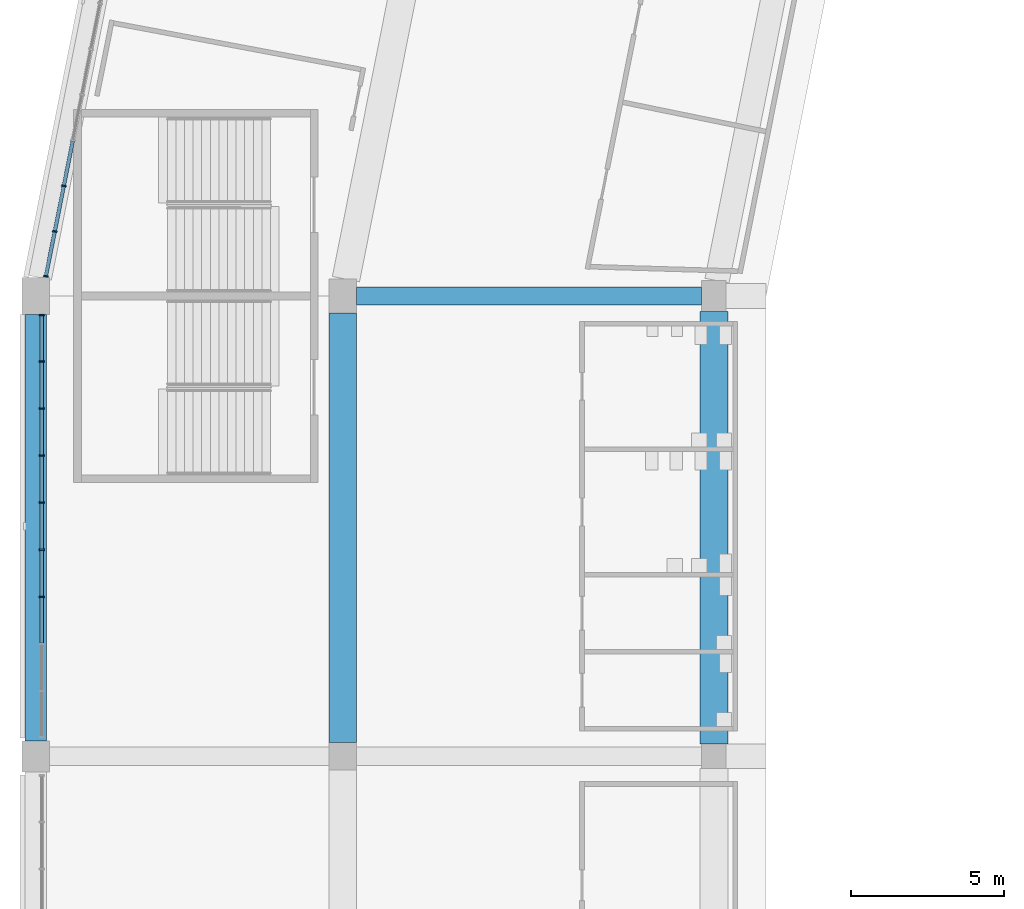
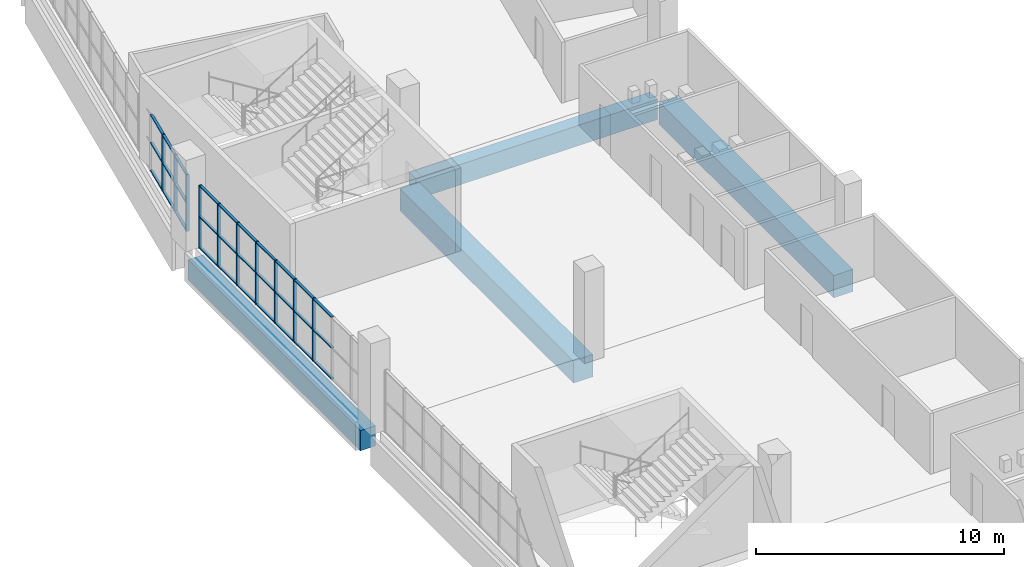
# One storey, part 35 of 199: 40 members, 4 beams, 2 elements without a shape of their own.
"""IFC4 building model written with IfcOpenShell, lengths in metres."""

import ifcopenshell
import ifcopenshell.guid

model = None  # the IFC model being written
_history = None  # IfcOwnerHistory: only IFC2X3 demands one
_inside = {}  # id of a spatial element -> (the spatial element, [elements in it])
_under = {}  # id of a project, library or spatial element -> (it, [spatial elements below it])
_declared = {}  # id of a project -> (the project, [libraries it declares])
_typed = {}  # id of a type object -> (the type object, [elements of that type])
_made_of = {}  # id of a material, layer set ... -> (it, [elements and type objects made of it])


def new_model(schema):
    """Start an empty IFC model of exactly this schema.

    Asked for "IFC4X3", IfcOpenShell would pick the latest addendum, in which some entities
    have other attributes; the version numbers below select the first issue.
    IFC2X3 requires an IfcOwnerHistory on every rooted entity: one is made here for all.
    """
    global model, _history
    if schema == "IFC4X3":
        model = ifcopenshell.file(schema_version=(4, 3, 0, 0))
    else:
        model = ifcopenshell.file(schema=schema)
    _inside.clear()
    _under.clear()
    _declared.clear()
    _typed.clear()
    _made_of.clear()
    _history = None
    if model.schema == "IFC2X3":
        org = make("IfcOrganization", Name="unknown")
        user = make(
            "IfcPersonAndOrganization",
            ThePerson=make("IfcPerson", FamilyName="unknown"),
            TheOrganization=org,
        )
        app = make(
            "IfcApplication",
            ApplicationDeveloper=org,
            Version="unknown",
            ApplicationFullName="unknown",
            ApplicationIdentifier="unknown",
        )
        _history = make(
            "IfcOwnerHistory",
            OwningUser=user,
            OwningApplication=app,
            ChangeAction="ADDED",
            CreationDate=0,
        )
    return model


def make(cls, **values):
    """One entity of the class cls with the attributes given. An attribute that is None is left unset."""
    return model.create_entity(
        cls, **{name: value for name, value in values.items() if value is not None}
    )


def rooted(cls, **values):
    """An entity with a GlobalId (a new one), such as an element, a storey or a relation."""
    return make(cls, GlobalId=ifcopenshell.guid.new(), OwnerHistory=_history, **values)


def si_unit(unit_type, name, prefix=None):
    """IfcSIUnit, for example si_unit("LENGTHUNIT", "METRE", prefix="MILLI")."""
    return make("IfcSIUnit", UnitType=unit_type, Prefix=prefix, Name=name)


def assignment(units):
    """IfcUnitAssignment: the units of a project."""
    return None if units is None else make("IfcUnitAssignment", Units=units)


def point(xyz):
    """IfcCartesianPoint."""
    return None if xyz is None else make("IfcCartesianPoint", Coordinates=xyz)


def direction(xyz):
    """IfcDirection."""
    return None if xyz is None else make("IfcDirection", DirectionRatios=xyz)


def frame(location, z_axis=None, x_axis=None):
    """IfcAxis2Placement3D, a coordinate frame: its origin and axes. An axis left out is left unset."""
    return make(
        "IfcAxis2Placement3D",
        Location=point(location),
        Axis=direction(z_axis),
        RefDirection=direction(x_axis),
    )


def frame_2d(location, x_axis=None):
    """IfcAxis2Placement2D, a coordinate frame in the plane: its origin and x axis."""
    return make(
        "IfcAxis2Placement2D", Location=point(location), RefDirection=direction(x_axis)
    )


def origin():
    """The frame at (0, 0, 0) with its axes left unset."""
    return frame((0.0, 0.0, 0.0))


def origin_2d():
    """The frame at (0, 0) in the plane with its x axis left unset."""
    return frame_2d((0.0, 0.0))


def place(relative_to, where):
    """IfcLocalPlacement: puts the frame where relative to a parent placement (None: the world)."""
    return make(
        "IfcLocalPlacement", PlacementRelTo=relative_to, RelativePlacement=where
    )


def context(
    kind, dimensions, precision=None, world=None, true_north=None, identifier=None
):
    """IfcGeometricRepresentationContext, for example the 3D "Model" context."""
    return make(
        "IfcGeometricRepresentationContext",
        ContextIdentifier=identifier,
        ContextType=kind,
        CoordinateSpaceDimension=dimensions,
        Precision=precision,
        WorldCoordinateSystem=world,
        TrueNorth=true_north,
    )


def subcontext(parent, identifier, kind, view, scale=None):
    """IfcGeometricRepresentationSubContext, for example "Body" below "Model"."""
    return make(
        "IfcGeometricRepresentationSubContext",
        ContextIdentifier=identifier,
        ContextType=kind,
        ParentContext=parent,
        TargetScale=scale,
        TargetView=view,
    )


def project(units=None, contexts=None):
    """IfcProject with its units and contexts."""
    return rooted(
        "IfcProject",
        Name="project",
        RepresentationContexts=contexts,
        UnitsInContext=assignment(units),
    )


def spatial(cls, under=None, at=None, **own):
    """A site, building, storey or space (cls), placed at a placement, below another one or the project."""
    s = rooted(cls, ObjectPlacement=at, **own)
    if under is not None:
        _under.setdefault(under.id(), (under, []))[1].append(s)
    return s


def profile(cls, at=None, kind="AREA", **sizes):
    """A parametric profile (cls). Its sizes go by their IFC names, for example OverallWidth=200.0."""
    return make(cls, ProfileType=kind, Position=at, **sizes)


def rectangle(**sizes):
    """IfcRectangleProfileDef."""
    return profile("IfcRectangleProfileDef", **sizes)


def extrude(swept, where, along, depth):
    """IfcExtrudedAreaSolid: the profile swept, set in the frame where, extruded along a direction by depth."""
    return make(
        "IfcExtrudedAreaSolid",
        SweptArea=swept,
        Position=where,
        ExtrudedDirection=direction(along),
        Depth=depth,
    )


def shape(context_of_items, identifier, shape_type, items):
    """IfcShapeRepresentation: the items that make up one representation, for example the "Body"."""
    return make(
        "IfcShapeRepresentation",
        ContextOfItems=context_of_items,
        RepresentationIdentifier=identifier,
        RepresentationType=shape_type,
        Items=items,
    )


def material(Name=None, Category=None):
    """IfcMaterial."""
    return make("IfcMaterial", Name=Name, Category=Category)


def material_profile(
    of_material, cross_section, Name=None, Category=None, Priority=None
):
    """IfcMaterialProfile: a cross section and its material."""
    return make(
        "IfcMaterialProfile",
        Name=Name,
        Material=of_material,
        Profile=cross_section,
        Priority=Priority,
        Category=Category,
    )


def profile_set(profiles, Name=None, composite=None):
    """IfcMaterialProfileSet."""
    return make(
        "IfcMaterialProfileSet",
        Name=Name,
        MaterialProfiles=profiles,
        CompositeProfile=composite,
    )


def made_of(thing, what):
    """Note that an element or type object is made of a material, layer set ...; save() writes the relation."""
    if what is not None:
        _made_of.setdefault(what.id(), (what, []))[1].append(thing)
    return thing


def type_object(cls, material=None, **own):
    """A type object (cls), such as IfcWallType, which elements share."""
    return made_of(rooted(cls, **own), material)


def element(
    cls,
    number,
    at=None,
    inside=None,
    cuts=None,
    type_object=None,
    material=None,
    context=None,
    identifier="Body",
    shape_type=None,
    held_by="IfcProductDefinitionShape",
    body=None,
    shapes=None,
    **own,
):
    """One element of the class cls, such as IfcWall. Its Tag is "e" and its number.

    at: its placement. inside: the storey or other place that contains it. cuts: it is an
    opening in that element (IfcRelVoidsElement). A single representation is given by context,
    identifier, shape_type and body (its items); several are given by shapes. held_by: the class
    of the entity that holds the representations. save() writes the other relations.
    """
    e = rooted(cls, Tag="e%d" % number, ObjectPlacement=at, **own)
    if body is not None:
        shapes = [shape(context, identifier, shape_type, body)]
    if shapes is not None:
        e.Representation = make(held_by, Representations=shapes)
    if inside is not None:
        _inside.setdefault(inside.id(), (inside, []))[1].append(e)
    if cuts is not None:
        rooted(
            "IfcRelVoidsElement", RelatingBuildingElement=cuts, RelatedOpeningElement=e
        )
    if type_object is not None:
        _typed.setdefault(type_object.id(), (type_object, []))[1].append(e)
    return made_of(e, material)


def aggregate(whole, parts):
    """IfcRelAggregates: a whole, such as a stair, and the parts it consists of."""
    return rooted("IfcRelAggregates", RelatingObject=whole, RelatedObjects=parts)


def save(model, path):
    """Write the relations noted so far, then the file.

    IfcRelAggregates (storeys below a building ...), IfcRelContainedInSpatialStructure (elements
    in a storey), IfcRelDefinesByType, IfcRelAssociatesMaterial and IfcRelDeclares: one each for
    every whole, place, type object, material and project.
    """
    for whole, parts in _under.values():
        aggregate(whole, parts)
    for where, things in _inside.values():
        rooted(
            "IfcRelContainedInSpatialStructure",
            RelatedElements=things,
            RelatingStructure=where,
        )
    for kind, things in _typed.values():
        rooted("IfcRelDefinesByType", RelatedObjects=things, RelatingType=kind)
    for what, things in _made_of.values():
        rooted("IfcRelAssociatesMaterial", RelatedObjects=things, RelatingMaterial=what)
    for by, libraries in _declared.values():
        rooted("IfcRelDeclares", RelatingContext=by, RelatedDefinitions=libraries)
    model.write(path)


model = new_model("IFC4")

# Units and contexts
model_context = context("Model", 3, precision=1e-05, world=origin(), true_north=direction((0.0, 1.0)))
body_context = subcontext(model_context, "Body", "Model", "MODEL_VIEW")
ifc_project = project(units=[si_unit("LENGTHUNIT", "METRE"), si_unit("AREAUNIT", "SQUARE_METRE"), si_unit("VOLUMEUNIT", "CUBIC_METRE"), si_unit("PLANEANGLEUNIT", "RADIAN"), si_unit("MASSUNIT", "GRAM", prefix="KILO")], contexts=[model_context])

# Site, building, storey
site_placement = place(None, origin())
site = spatial("IfcSite", under=ifc_project, at=site_placement, CompositionType="ELEMENT")
building_placement = place(site_placement, origin())
building = spatial("IfcBuilding", under=site, at=building_placement, Name="Ogive Plaza Stadium", CompositionType="ELEMENT")
storey_placement = place(building_placement, frame((0.0, 0.0, 4.5)))
storey = spatial("IfcBuildingStorey", under=building, at=storey_placement, Name="L01", CompositionType="ELEMENT", Elevation=4.5)

# Curtain wall, members
ifc_material_1 = material(Name="Bronze-anodised aluminium with laminated glass", Category="aluminium")
curtain_wall_type = type_object("IfcCurtainWallType", Name="Lancet curtain wall", PredefinedType="NOTDEFINED", material=ifc_material_1)
curtain_wall_1_placement = place(storey_placement, origin())
curtain_wall_1 = element("IfcCurtainWall", 1, at=curtain_wall_1_placement, inside=storey, type_object=curtain_wall_type, Name="CURTAIN WALL B27 L01", PredefinedType="NOTDEFINED")
ifc_material_2 = material(Name="Bronze-anodised aluminium", Category="aluminium")
ifc_material_profile_1 = material_profile(ifc_material_2, rectangle(XDim=0.14990234375, YDim=0.050048828125, at=origin_2d()), Name="AL 150x50")
ifc_profile_set_1 = profile_set([ifc_material_profile_1], Name="Bronze-anodised aluminium")
member_type_1 = type_object("IfcMemberType", Name="Curtain wall mullion 50x150", PredefinedType="MULLION", material=ifc_profile_set_1)
member_1_placement = place(storey_placement, frame((-83.800048828125, 42.699951171875, 0.0), z_axis=(0.0, 0.0, 1.0), x_axis=(-1.0, 0.0, 0.0)))
member_1 = element("IfcMember", 2, at=member_1_placement, type_object=member_type_1, Name="CW-B27-L01 mullion 4", PredefinedType="MULLION", context=body_context, shape_type="SweptSolid", body=[
    extrude(rectangle(XDim=0.14990234375, YDim=0.050048828125, at=origin_2d()), origin(), (0.0, 0.0, 1.0), 3.090087890625),
])
member_2_placement = place(storey_placement, frame((-83.800048828125, 44.2333984375, 0.0), z_axis=(0.0, 0.0, 1.0), x_axis=(-1.0, 0.0, 0.0)))
member_2 = element("IfcMember", 3, at=member_2_placement, type_object=member_type_1, Name="CW-B27-L01 mullion 5", PredefinedType="MULLION", context=body_context, shape_type="SweptSolid", body=[
    extrude(rectangle(XDim=0.14990234375, YDim=0.050048828125, at=origin_2d()), origin(), (0.0, 0.0, 1.0), 3.090087890625),
])
member_3_placement = place(storey_placement, frame((-83.800048828125, 45.7666015625, 0.0), z_axis=(0.0, 0.0, 1.0), x_axis=(-1.0, 0.0, 0.0)))
member_3 = element("IfcMember", 4, at=member_3_placement, type_object=member_type_1, Name="CW-B27-L01 mullion 6", PredefinedType="MULLION", context=body_context, shape_type="SweptSolid", body=[
    extrude(rectangle(XDim=0.14990234375, YDim=0.050048828125, at=origin_2d()), origin(), (0.0, 0.0, 1.0), 3.090087890625),
])
member_4_placement = place(storey_placement, frame((-83.800048828125, 47.300048828125, 0.0), z_axis=(0.0, 0.0, 1.0), x_axis=(-1.0, 0.0, 0.0)))
member_4 = element("IfcMember", 5, at=member_4_placement, type_object=member_type_1, Name="CW-B27-L01 mullion 7", PredefinedType="MULLION", context=body_context, shape_type="SweptSolid", body=[
    extrude(rectangle(XDim=0.14990234375, YDim=0.050048828125, at=origin_2d()), origin(), (0.0, 0.0, 1.0), 3.090087890625),
])
member_5_placement = place(storey_placement, frame((-83.800048828125, 48.833251953125, 0.0), z_axis=(0.0, 0.0, 1.0), x_axis=(-1.0, 0.0, 0.0)))
member_5 = element("IfcMember", 6, at=member_5_placement, type_object=member_type_1, Name="CW-B27-L01 mullion 8", PredefinedType="MULLION", context=body_context, shape_type="SweptSolid", body=[
    extrude(rectangle(XDim=0.14990234375, YDim=0.050048828125, at=origin_2d()), origin(), (0.0, 0.0, 1.0), 3.090087890625),
])
member_6_placement = place(storey_placement, frame((-83.800048828125, 50.36669921875, 0.0), z_axis=(0.0, 0.0, 1.0), x_axis=(-1.0, 0.0, 0.0)))
member_6 = element("IfcMember", 7, at=member_6_placement, type_object=member_type_1, Name="CW-B27-L01 mullion 9", PredefinedType="MULLION", context=body_context, shape_type="SweptSolid", body=[
    extrude(rectangle(XDim=0.14990234375, YDim=0.050048828125, at=origin_2d()), origin(), (0.0, 0.0, 1.0), 3.090087890625),
])
member_7_placement = place(storey_placement, frame((-83.800048828125, 51.875, 0.0), z_axis=(0.0, 0.0, 1.0), x_axis=(-1.0, 0.0, 0.0)))
member_7 = element("IfcMember", 8, at=member_7_placement, type_object=member_type_1, Name="CW-B27-L01 mullion 10", PredefinedType="MULLION", context=body_context, shape_type="SweptSolid", body=[
    extrude(rectangle(XDim=0.14990234375, YDim=0.050048828125, at=origin_2d()), origin(), (0.0, 0.0, 1.0), 3.090087890625),
])

curtain_wall_2_placement = place(storey_placement, origin())
curtain_wall_2 = element("IfcCurtainWall", 9, at=curtain_wall_2_placement, inside=storey, type_object=curtain_wall_type, Name="CURTAIN WALL B28 L01", PredefinedType="NOTDEFINED")
member_8_placement = place(storey_placement, frame((-83.66796875, 53.14404296875, 0.0), z_axis=(0.0, 0.0, 1.0), x_axis=(-0.980785280403, 0.195090322016, 0.0)))
member_8 = element("IfcMember", 10, at=member_8_placement, type_object=member_type_1, Name="CW-B28-L01 mullion 1", PredefinedType="MULLION", context=body_context, shape_type="SweptSolid", body=[
    extrude(rectangle(XDim=0.14990234375, YDim=0.050048828125, at=origin_2d()), origin(), (0.0, 0.0, 1.0), 2.7900390625),
])
member_9_placement = place(storey_placement, frame((-83.37744140625, 54.604248046875, 0.0), z_axis=(0.0, 0.0, 1.0), x_axis=(-0.980785280403, 0.195090322016, 0.0)))
member_9 = element("IfcMember", 11, at=member_9_placement, type_object=member_type_1, Name="CW-B28-L01 mullion 2", PredefinedType="MULLION", context=body_context, shape_type="SweptSolid", body=[
    extrude(rectangle(XDim=0.14990234375, YDim=0.050048828125, at=origin_2d()), origin(), (0.0, 0.0, 1.0), 2.7900390625),
])
member_10_placement = place(storey_placement, frame((-83.082275390625, 56.089111328125, 0.0), z_axis=(0.0, 0.0, 1.0), x_axis=(-0.980785280403, 0.195090322016, 0.0)))
member_10 = element("IfcMember", 12, at=member_10_placement, type_object=member_type_1, Name="CW-B28-L01 mullion 3", PredefinedType="MULLION", context=body_context, shape_type="SweptSolid", body=[
    extrude(rectangle(XDim=0.14990234375, YDim=0.050048828125, at=origin_2d()), origin(), (0.0, 0.0, 1.0), 2.7900390625),
])

# Member
ifc_material_3 = material(Name="Bronze-anodised aluminium", Category="aluminium")
ifc_material_profile_2 = material_profile(ifc_material_3, rectangle(XDim=0.1201171875, YDim=0.050048828125, at=origin_2d()), Name="AL 120x50")
ifc_profile_set_2 = profile_set([ifc_material_profile_2], Name="Bronze-anodised aluminium")
member_type_2 = type_object("IfcMemberType", Name="Curtain wall transom 50x120", PredefinedType="USERDEFINED", material=ifc_profile_set_2)
member_11_placement = place(storey_placement, frame((-83.800048828125, 41.191650390625, 0.02490234375), z_axis=(0.0, 1.0, 0.0), x_axis=(-1.0, 0.0, 0.0)))
member_11 = element("IfcMember", 13, at=member_11_placement, type_object=member_type_2, Name="CW-B27-L01 transom 3.1", ObjectType="TRANSOM", PredefinedType="USERDEFINED", context=body_context, shape_type="SweptSolid", body=[
    extrude(rectangle(XDim=0.1201171875, YDim=0.050048828125, at=origin_2d()), origin(), (0.0, 0.0, 1.0), 1.4833984375),
])

member_12_placement = place(storey_placement, frame((-83.800048828125, 41.191650390625, 1.544921875), z_axis=(0.0, 1.0, 0.0), x_axis=(-1.0, 0.0, 0.0)))
member_12 = element("IfcMember", 14, at=member_12_placement, type_object=member_type_2, Name="CW-B27-L01 transom 3.2", ObjectType="TRANSOM", PredefinedType="USERDEFINED", context=body_context, shape_type="SweptSolid", body=[
    extrude(rectangle(XDim=0.1201171875, YDim=0.050048828125, at=origin_2d()), origin(), (0.0, 0.0, 1.0), 1.4833984375),
])

member_13_placement = place(storey_placement, frame((-83.800048828125, 41.191650390625, 3.06494140625), z_axis=(0.0, 1.0, 0.0), x_axis=(-1.0, 0.0, 0.0)))
member_13 = element("IfcMember", 15, at=member_13_placement, type_object=member_type_2, Name="CW-B27-L01 transom 3.3", ObjectType="TRANSOM", PredefinedType="USERDEFINED", context=body_context, shape_type="SweptSolid", body=[
    extrude(rectangle(XDim=0.1201171875, YDim=0.050048828125, at=origin_2d()), origin(), (0.0, 0.0, 1.0), 1.4833984375),
])

member_14_placement = place(storey_placement, frame((-83.800048828125, 42.72509765625, 0.02490234375), z_axis=(0.0, 1.0, 0.0), x_axis=(-1.0, 0.0, 0.0)))
member_14 = element("IfcMember", 16, at=member_14_placement, type_object=member_type_2, Name="CW-B27-L01 transom 4.1", ObjectType="TRANSOM", PredefinedType="USERDEFINED", context=body_context, shape_type="SweptSolid", body=[
    extrude(rectangle(XDim=0.1201171875, YDim=0.050048828125, at=origin_2d()), origin(), (0.0, 0.0, 1.0), 1.483154296875),
])

member_15_placement = place(storey_placement, frame((-83.800048828125, 42.72509765625, 1.544921875), z_axis=(0.0, 1.0, 0.0), x_axis=(-1.0, 0.0, 0.0)))
member_15 = element("IfcMember", 17, at=member_15_placement, type_object=member_type_2, Name="CW-B27-L01 transom 4.2", ObjectType="TRANSOM", PredefinedType="USERDEFINED", context=body_context, shape_type="SweptSolid", body=[
    extrude(rectangle(XDim=0.1201171875, YDim=0.050048828125, at=origin_2d()), origin(), (0.0, 0.0, 1.0), 1.483154296875),
])

member_16_placement = place(storey_placement, frame((-83.800048828125, 42.72509765625, 3.06494140625), z_axis=(0.0, 1.0, 0.0), x_axis=(-1.0, 0.0, 0.0)))
member_16 = element("IfcMember", 18, at=member_16_placement, type_object=member_type_2, Name="CW-B27-L01 transom 4.3", ObjectType="TRANSOM", PredefinedType="USERDEFINED", context=body_context, shape_type="SweptSolid", body=[
    extrude(rectangle(XDim=0.1201171875, YDim=0.050048828125, at=origin_2d()), origin(), (0.0, 0.0, 1.0), 1.483154296875),
])

member_17_placement = place(storey_placement, frame((-83.800048828125, 44.25830078125, 0.02490234375), z_axis=(0.0, 1.0, 0.0), x_axis=(-1.0, 0.0, 0.0)))
member_17 = element("IfcMember", 19, at=member_17_placement, type_object=member_type_2, Name="CW-B27-L01 transom 5.1", ObjectType="TRANSOM", PredefinedType="USERDEFINED", context=body_context, shape_type="SweptSolid", body=[
    extrude(rectangle(XDim=0.1201171875, YDim=0.050048828125, at=origin_2d()), origin(), (0.0, 0.0, 1.0), 1.4833984375),
])

member_18_placement = place(storey_placement, frame((-83.800048828125, 44.25830078125, 1.544921875), z_axis=(0.0, 1.0, 0.0), x_axis=(-1.0, 0.0, 0.0)))
member_18 = element("IfcMember", 20, at=member_18_placement, type_object=member_type_2, Name="CW-B27-L01 transom 5.2", ObjectType="TRANSOM", PredefinedType="USERDEFINED", context=body_context, shape_type="SweptSolid", body=[
    extrude(rectangle(XDim=0.1201171875, YDim=0.050048828125, at=origin_2d()), origin(), (0.0, 0.0, 1.0), 1.4833984375),
])

member_19_placement = place(storey_placement, frame((-83.800048828125, 44.25830078125, 3.06494140625), z_axis=(0.0, 1.0, 0.0), x_axis=(-1.0, 0.0, 0.0)))
member_19 = element("IfcMember", 21, at=member_19_placement, type_object=member_type_2, Name="CW-B27-L01 transom 5.3", ObjectType="TRANSOM", PredefinedType="USERDEFINED", context=body_context, shape_type="SweptSolid", body=[
    extrude(rectangle(XDim=0.1201171875, YDim=0.050048828125, at=origin_2d()), origin(), (0.0, 0.0, 1.0), 1.4833984375),
])

member_20_placement = place(storey_placement, frame((-83.800048828125, 45.791748046875, 0.02490234375), z_axis=(0.0, 1.0, 0.0), x_axis=(-1.0, 0.0, 0.0)))
member_20 = element("IfcMember", 22, at=member_20_placement, type_object=member_type_2, Name="CW-B27-L01 transom 6.1", ObjectType="TRANSOM", PredefinedType="USERDEFINED", context=body_context, shape_type="SweptSolid", body=[
    extrude(rectangle(XDim=0.1201171875, YDim=0.050048828125, at=origin_2d()), origin(), (0.0, 0.0, 1.0), 1.483154296875),
])

member_21_placement = place(storey_placement, frame((-83.800048828125, 45.791748046875, 1.544921875), z_axis=(0.0, 1.0, 0.0), x_axis=(-1.0, 0.0, 0.0)))
member_21 = element("IfcMember", 23, at=member_21_placement, type_object=member_type_2, Name="CW-B27-L01 transom 6.2", ObjectType="TRANSOM", PredefinedType="USERDEFINED", context=body_context, shape_type="SweptSolid", body=[
    extrude(rectangle(XDim=0.1201171875, YDim=0.050048828125, at=origin_2d()), origin(), (0.0, 0.0, 1.0), 1.483154296875),
])

member_22_placement = place(storey_placement, frame((-83.800048828125, 45.791748046875, 3.06494140625), z_axis=(0.0, 1.0, 0.0), x_axis=(-1.0, 0.0, 0.0)))
member_22 = element("IfcMember", 24, at=member_22_placement, type_object=member_type_2, Name="CW-B27-L01 transom 6.3", ObjectType="TRANSOM", PredefinedType="USERDEFINED", context=body_context, shape_type="SweptSolid", body=[
    extrude(rectangle(XDim=0.1201171875, YDim=0.050048828125, at=origin_2d()), origin(), (0.0, 0.0, 1.0), 1.483154296875),
])

member_23_placement = place(storey_placement, frame((-83.800048828125, 47.324951171875, 0.02490234375), z_axis=(0.0, 1.0, 0.0), x_axis=(-1.0, 0.0, 0.0)))
member_23 = element("IfcMember", 25, at=member_23_placement, type_object=member_type_2, Name="CW-B27-L01 transom 7.1", ObjectType="TRANSOM", PredefinedType="USERDEFINED", context=body_context, shape_type="SweptSolid", body=[
    extrude(rectangle(XDim=0.1201171875, YDim=0.050048828125, at=origin_2d()), origin(), (0.0, 0.0, 1.0), 1.4833984375),
])

member_24_placement = place(storey_placement, frame((-83.800048828125, 47.324951171875, 1.544921875), z_axis=(0.0, 1.0, 0.0), x_axis=(-1.0, 0.0, 0.0)))
member_24 = element("IfcMember", 26, at=member_24_placement, type_object=member_type_2, Name="CW-B27-L01 transom 7.2", ObjectType="TRANSOM", PredefinedType="USERDEFINED", context=body_context, shape_type="SweptSolid", body=[
    extrude(rectangle(XDim=0.1201171875, YDim=0.050048828125, at=origin_2d()), origin(), (0.0, 0.0, 1.0), 1.4833984375),
])

member_25_placement = place(storey_placement, frame((-83.800048828125, 47.324951171875, 3.06494140625), z_axis=(0.0, 1.0, 0.0), x_axis=(-1.0, 0.0, 0.0)))
member_25 = element("IfcMember", 27, at=member_25_placement, type_object=member_type_2, Name="CW-B27-L01 transom 7.3", ObjectType="TRANSOM", PredefinedType="USERDEFINED", context=body_context, shape_type="SweptSolid", body=[
    extrude(rectangle(XDim=0.1201171875, YDim=0.050048828125, at=origin_2d()), origin(), (0.0, 0.0, 1.0), 1.4833984375),
])

member_26_placement = place(storey_placement, frame((-83.800048828125, 48.8583984375, 0.02490234375), z_axis=(0.0, 1.0, 0.0), x_axis=(-1.0, 0.0, 0.0)))
member_26 = element("IfcMember", 28, at=member_26_placement, type_object=member_type_2, Name="CW-B27-L01 transom 8.1", ObjectType="TRANSOM", PredefinedType="USERDEFINED", context=body_context, shape_type="SweptSolid", body=[
    extrude(rectangle(XDim=0.1201171875, YDim=0.050048828125, at=origin_2d()), origin(), (0.0, 0.0, 1.0), 1.483154296875),
])

member_27_placement = place(storey_placement, frame((-83.800048828125, 48.8583984375, 1.544921875), z_axis=(0.0, 1.0, 0.0), x_axis=(-1.0, 0.0, 0.0)))
member_27 = element("IfcMember", 29, at=member_27_placement, type_object=member_type_2, Name="CW-B27-L01 transom 8.2", ObjectType="TRANSOM", PredefinedType="USERDEFINED", context=body_context, shape_type="SweptSolid", body=[
    extrude(rectangle(XDim=0.1201171875, YDim=0.050048828125, at=origin_2d()), origin(), (0.0, 0.0, 1.0), 1.483154296875),
])

member_28_placement = place(storey_placement, frame((-83.800048828125, 48.8583984375, 3.06494140625), z_axis=(0.0, 1.0, 0.0), x_axis=(-1.0, 0.0, 0.0)))
member_28 = element("IfcMember", 30, at=member_28_placement, type_object=member_type_2, Name="CW-B27-L01 transom 8.3", ObjectType="TRANSOM", PredefinedType="USERDEFINED", context=body_context, shape_type="SweptSolid", body=[
    extrude(rectangle(XDim=0.1201171875, YDim=0.050048828125, at=origin_2d()), origin(), (0.0, 0.0, 1.0), 1.483154296875),
])

member_29_placement = place(storey_placement, frame((-83.800048828125, 50.3916015625, 0.02490234375), z_axis=(0.0, 1.0, 0.0), x_axis=(-1.0, 0.0, 0.0)))
member_29 = element("IfcMember", 31, at=member_29_placement, type_object=member_type_2, Name="CW-B27-L01 transom 9.1", ObjectType="TRANSOM", PredefinedType="USERDEFINED", context=body_context, shape_type="SweptSolid", body=[
    extrude(rectangle(XDim=0.1201171875, YDim=0.050048828125, at=origin_2d()), origin(), (0.0, 0.0, 1.0), 1.45849609375),
])

member_30_placement = place(storey_placement, frame((-83.800048828125, 50.3916015625, 1.544921875), z_axis=(0.0, 1.0, 0.0), x_axis=(-1.0, 0.0, 0.0)))
member_30 = element("IfcMember", 32, at=member_30_placement, type_object=member_type_2, Name="CW-B27-L01 transom 9.2", ObjectType="TRANSOM", PredefinedType="USERDEFINED", context=body_context, shape_type="SweptSolid", body=[
    extrude(rectangle(XDim=0.1201171875, YDim=0.050048828125, at=origin_2d()), origin(), (0.0, 0.0, 1.0), 1.45849609375),
])

member_31_placement = place(storey_placement, frame((-83.800048828125, 50.3916015625, 3.06494140625), z_axis=(0.0, 1.0, 0.0), x_axis=(-1.0, 0.0, 0.0)))
member_31 = element("IfcMember", 33, at=member_31_placement, type_object=member_type_2, Name="CW-B27-L01 transom 9.3", ObjectType="TRANSOM", PredefinedType="USERDEFINED", context=body_context, shape_type="SweptSolid", body=[
    extrude(rectangle(XDim=0.1201171875, YDim=0.050048828125, at=origin_2d()), origin(), (0.0, 0.0, 1.0), 1.45849609375),
])

aggregate(curtain_wall_1, [member_1, member_2, member_3, member_4, member_5, member_6, member_7, member_11, member_12, member_13, member_14, member_15, member_16, member_17, member_18, member_19, member_20, member_21, member_22, member_23, member_24, member_25, member_26, member_27, member_28, member_29, member_30, member_31])

member_32_placement = place(storey_placement, frame((-83.6630859375, 53.16845703125, 0.02490234375), z_axis=(0.195104618913, 0.980782436465, 0.0), x_axis=(-0.980782436465, 0.195104618913, 0.0)))
member_32 = element("IfcMember", 34, at=member_32_placement, type_object=member_type_2, Name="CW-B28-L01 transom 1.1", ObjectType="TRANSOM", PredefinedType="USERDEFINED", context=body_context, shape_type="SweptSolid", body=[
    extrude(rectangle(XDim=0.1201171875, YDim=0.050048828125, at=origin_2d()), origin(), (0.0, 0.0, 1.0), 1.43896484375),
])

member_33_placement = place(storey_placement, frame((-83.6630859375, 53.16845703125, 1.39501953125), z_axis=(0.195104618913, 0.980782436465, 0.0), x_axis=(-0.980782436465, 0.195104618913, 0.0)))
member_33 = element("IfcMember", 35, at=member_33_placement, type_object=member_type_2, Name="CW-B28-L01 transom 1.2", ObjectType="TRANSOM", PredefinedType="USERDEFINED", context=body_context, shape_type="SweptSolid", body=[
    extrude(rectangle(XDim=0.1201171875, YDim=0.050048828125, at=origin_2d()), origin(), (0.0, 0.0, 1.0), 1.43896484375),
])

member_34_placement = place(storey_placement, frame((-83.6630859375, 53.16845703125, 2.764892578125), z_axis=(0.195104618913, 0.980782436465, 0.0), x_axis=(-0.980782436465, 0.195104618913, 0.0)))
member_34 = element("IfcMember", 36, at=member_34_placement, type_object=member_type_2, Name="CW-B28-L01 transom 1.3", ObjectType="TRANSOM", PredefinedType="USERDEFINED", context=body_context, shape_type="SweptSolid", body=[
    extrude(rectangle(XDim=0.1201171875, YDim=0.050048828125, at=origin_2d()), origin(), (0.0, 0.0, 1.0), 1.43896484375),
])

member_35_placement = place(storey_placement, frame((-83.37255859375, 54.62890625, 0.02490234375), z_axis=(0.194993290732, 0.980804576136, 0.0), x_axis=(-0.980804576136, 0.194993290732, 0.0)))
member_35 = element("IfcMember", 37, at=member_35_placement, type_object=member_type_2, Name="CW-B28-L01 transom 2.1", ObjectType="TRANSOM", PredefinedType="USERDEFINED", context=body_context, shape_type="SweptSolid", body=[
    extrude(rectangle(XDim=0.1201171875, YDim=0.050048828125, at=origin_2d()), origin(), (0.0, 0.0, 1.0), 1.463623046875),
])

member_36_placement = place(storey_placement, frame((-83.37255859375, 54.62890625, 1.39501953125), z_axis=(0.194993290732, 0.980804576136, 0.0), x_axis=(-0.980804576136, 0.194993290732, 0.0)))
member_36 = element("IfcMember", 38, at=member_36_placement, type_object=member_type_2, Name="CW-B28-L01 transom 2.2", ObjectType="TRANSOM", PredefinedType="USERDEFINED", context=body_context, shape_type="SweptSolid", body=[
    extrude(rectangle(XDim=0.1201171875, YDim=0.050048828125, at=origin_2d()), origin(), (0.0, 0.0, 1.0), 1.463623046875),
])

member_37_placement = place(storey_placement, frame((-83.37255859375, 54.62890625, 2.764892578125), z_axis=(0.194993290732, 0.980804576136, 0.0), x_axis=(-0.980804576136, 0.194993290732, 0.0)))
member_37 = element("IfcMember", 39, at=member_37_placement, type_object=member_type_2, Name="CW-B28-L01 transom 2.3", ObjectType="TRANSOM", PredefinedType="USERDEFINED", context=body_context, shape_type="SweptSolid", body=[
    extrude(rectangle(XDim=0.1201171875, YDim=0.050048828125, at=origin_2d()), origin(), (0.0, 0.0, 1.0), 1.463623046875),
])

member_38_placement = place(storey_placement, frame((-83.077392578125, 56.113525390625, 0.02490234375), z_axis=(0.195121823859, 0.980779013771, 0.0), x_axis=(-0.980779013771, 0.195121823859, 0.0)))
member_38 = element("IfcMember", 40, at=member_38_placement, type_object=member_type_2, Name="CW-B28-L01 transom 3.1", ObjectType="TRANSOM", PredefinedType="USERDEFINED", context=body_context, shape_type="SweptSolid", body=[
    extrude(rectangle(XDim=0.1201171875, YDim=0.050048828125, at=origin_2d()), origin(), (0.0, 0.0, 1.0), 1.4638671875),
])

member_39_placement = place(storey_placement, frame((-83.077392578125, 56.113525390625, 1.39501953125), z_axis=(0.195121823859, 0.980779013771, 0.0), x_axis=(-0.980779013771, 0.195121823859, 0.0)))
member_39 = element("IfcMember", 41, at=member_39_placement, type_object=member_type_2, Name="CW-B28-L01 transom 3.2", ObjectType="TRANSOM", PredefinedType="USERDEFINED", context=body_context, shape_type="SweptSolid", body=[
    extrude(rectangle(XDim=0.1201171875, YDim=0.050048828125, at=origin_2d()), origin(), (0.0, 0.0, 1.0), 1.4638671875),
])

member_40_placement = place(storey_placement, frame((-83.077392578125, 56.113525390625, 2.764892578125), z_axis=(0.195121823859, 0.980779013771, 0.0), x_axis=(-0.980779013771, 0.195121823859, 0.0)))
member_40 = element("IfcMember", 42, at=member_40_placement, type_object=member_type_2, Name="CW-B28-L01 transom 3.3", ObjectType="TRANSOM", PredefinedType="USERDEFINED", context=body_context, shape_type="SweptSolid", body=[
    extrude(rectangle(XDim=0.1201171875, YDim=0.050048828125, at=origin_2d()), origin(), (0.0, 0.0, 1.0), 1.4638671875),
])

aggregate(curtain_wall_2, [member_8, member_9, member_10, member_32, member_33, member_34, member_35, member_36, member_37, member_38, member_39, member_40])

# Beams
ifc_material_4 = material(Name="Concrete C40/50", Category="concrete")
ifc_material_profile_3 = material_profile(ifc_material_4, rectangle(XDim=0.60009765625, YDim=1.0, at=origin_2d()), Name="RC 600x1000")
ifc_profile_set_3 = profile_set([ifc_material_profile_3], Name="Concrete C40/50")
beam_type_1 = type_object("IfcBeamType", Name="RC radial beam 600x1000", PredefinedType="BEAM", material=ifc_profile_set_3)
beam_1_placement = place(storey_placement, frame((-62.300048828125, 52.5, -0.909912109375), z_axis=(-1.0, 0.0, 0.0), x_axis=(0.0, -1.0, 0.0)))
element("IfcBeam", 43, at=beam_1_placement, inside=storey, type_object=beam_type_1, Name="Radial beam L01 R28 F3F4", PredefinedType="BEAM", context=body_context, shape_type="SweptSolid", body=[
    extrude(rectangle(XDim=0.60009765625, YDim=1.0, at=origin_2d()), origin(), (0.0, 0.0, 1.0), 11.25),
])
ifc_material_5 = material(Name="Concrete C40/50", Category="concrete")
ifc_material_profile_4 = material_profile(ifc_material_5, rectangle(XDim=0.89990234375, YDim=1.10009765625, at=origin_2d()), Name="RC 900x1100")
ifc_profile_set_4 = profile_set([ifc_material_profile_4], Name="Concrete C40/50")
beam_type_2 = type_object("IfcBeamType", Name="RC ring beam 900x1100", PredefinedType="BEAM", material=ifc_profile_set_4)
beam_2_placement = place(storey_placement, frame((-74.0, 37.949951171875, -0.9599609375), z_axis=(0.0, 1.0, 0.0), x_axis=(-1.0, 0.0, 0.0)))
element("IfcBeam", 44, at=beam_2_placement, inside=storey, type_object=beam_type_2, Name="Ring beam F4 L01 B27", PredefinedType="BEAM", context=body_context, shape_type="SweptSolid", body=[
    extrude(rectangle(XDim=0.89990234375, YDim=1.10009765625, at=origin_2d()), origin(), (0.0, 0.0, 1.0), 14.0),
])
beam_3_placement = place(storey_placement, frame((-61.89990234375, 37.89990234375, -0.9599609375), z_axis=(0.0, 1.0, 0.0), x_axis=(-1.0, 0.0, 0.0)))
element("IfcBeam", 45, at=beam_3_placement, inside=storey, type_object=beam_type_2, Name="Ring beam F3 L01 B27", PredefinedType="BEAM", context=body_context, shape_type="SweptSolid", body=[
    extrude(rectangle(XDim=0.89990234375, YDim=1.10009765625, at=origin_2d()), origin(), (0.0, 0.0, 1.0), 14.10009765625),
])
ifc_material_6 = material(Name="Concrete C40/50", Category="concrete")
ifc_material_profile_5 = material_profile(ifc_material_6, rectangle(XDim=0.699951171875, YDim=1.0, at=origin_2d()), Name="RC 700x1000")
ifc_profile_set_5 = profile_set([ifc_material_profile_5], Name="Concrete C40/50")
beam_type_3 = type_object("IfcBeamType", Name="RC spandrel beam 700x1000", PredefinedType="SPANDREL", material=ifc_profile_set_5)
beam_4_placement = place(storey_placement, frame((-84.0, 38.0, -0.909912109375), z_axis=(0.0, 1.0, 0.0), x_axis=(-1.0, 0.0, 0.0)))
element("IfcBeam", 46, at=beam_4_placement, inside=storey, type_object=beam_type_3, Name="Ring beam F5 L01 B27", PredefinedType="SPANDREL", context=body_context, shape_type="SweptSolid", body=[
    extrude(rectangle(XDim=0.699951171875, YDim=1.0, at=origin_2d()), origin(), (0.0, 0.0, 1.0), 13.89990234375),
])

save(model, "model.ifc")
